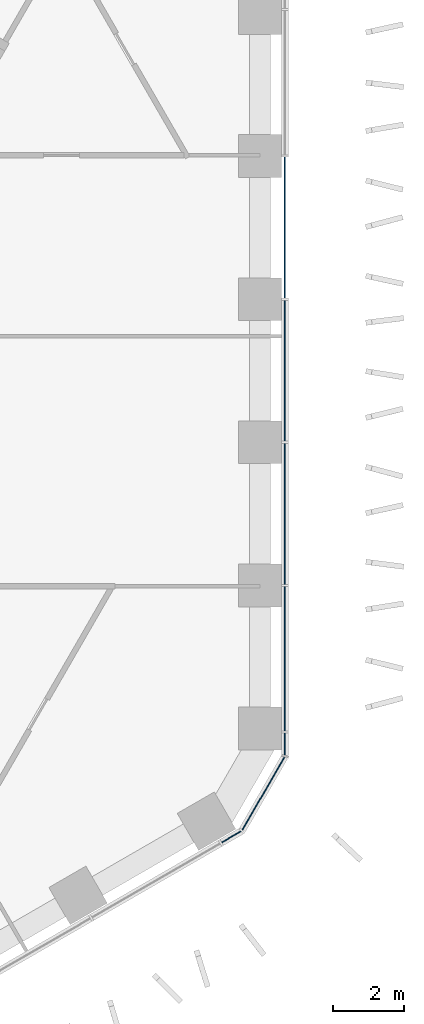
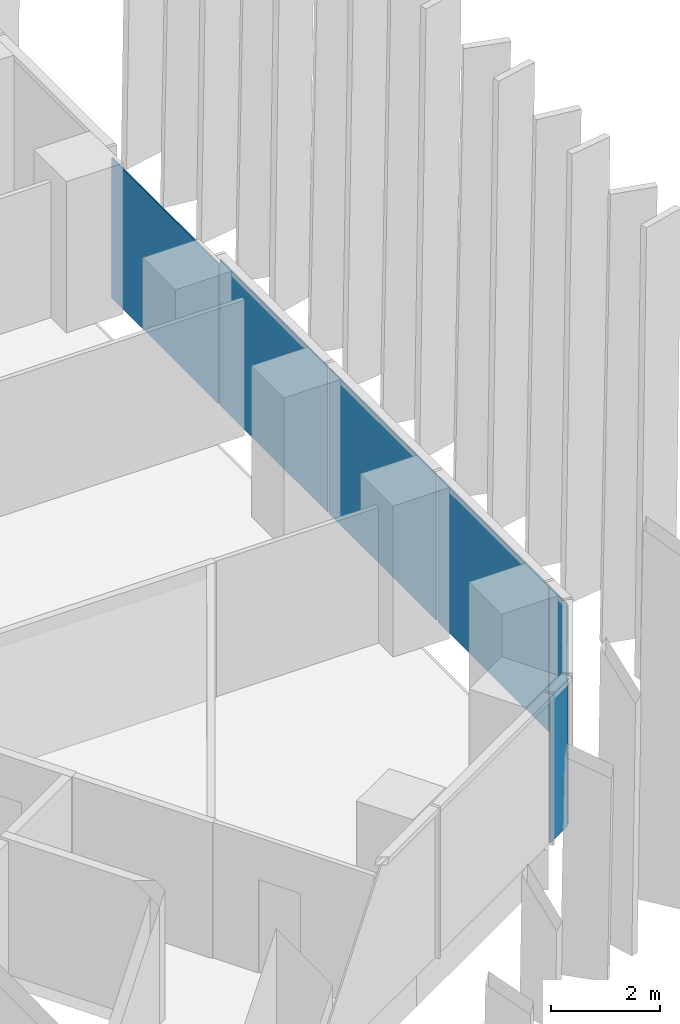
# One storey, part 11 of 20: 7 plates, 2 elements without a shape of their own.
"""IFC4 building model written with IfcOpenShell, lengths in metres."""

from ifc_helpers import new_model, si_unit, direction, frame, origin, origin_2d, place, context, subcontext, project, spatial, rectangle, extrude, material, layer, layer_set, type_object, element, aggregate, save


model = new_model("IFC4")

# Units and contexts
model_context = context("Model", 3, precision=1e-05, world=origin(), true_north=direction((0.0, 1.0)))
body_context = subcontext(model_context, "Body", "Model", "MODEL_VIEW")
ifc_project = project(units=[si_unit("LENGTHUNIT", "METRE"), si_unit("AREAUNIT", "SQUARE_METRE"), si_unit("VOLUMEUNIT", "CUBIC_METRE"), si_unit("PLANEANGLEUNIT", "RADIAN"), si_unit("MASSUNIT", "GRAM", prefix="KILO")], contexts=[model_context])

# Site, building, storey
site_placement = place(None, origin())
site = spatial("IfcSite", under=ifc_project, at=site_placement, CompositionType="ELEMENT")
building_placement = place(site_placement, origin())
building = spatial("IfcBuilding", under=site, at=building_placement, Name="Ayvan Gate Tower", CompositionType="ELEMENT")
storey_placement = place(building_placement, frame((0.0, 0.0, 35.699951171875)))
storey = spatial("IfcBuildingStorey", under=building, at=storey_placement, Name="L08", CompositionType="ELEMENT", Elevation=35.699951171875)

# Curtain wall, plates
ifc_material_1 = material(Name="Bronze anodised aluminium", Category="aluminium")
ifc_layer_1 = layer(ifc_material_1, 0.199951171875)
ifc_layer_set_1 = layer_set([ifc_layer_1], Name="Bronze anodised aluminium")
curtain_wall_type_1 = type_object("IfcCurtainWallType", Name="Stick curtain wall CW-1", PredefinedType="NOTDEFINED", material=ifc_layer_set_1)
curtain_wall_1_placement = place(storey_placement, origin())
curtain_wall_1 = element("IfcCurtainWall", 1, at=curtain_wall_1_placement, inside=storey, type_object=curtain_wall_type_1, Name="Stick curtain wall CW-1 L08", PredefinedType="NOTDEFINED")
ifc_material_2 = material(Name="Clear low-iron laminated glass", Category="glass")
ifc_layer_2 = layer(ifc_material_2, 0.028076171875)
ifc_layer_set_2 = layer_set([ifc_layer_2], Name="Clear low-iron laminated glass")
plate_type_1 = type_object("IfcPlateType", Name="Stick curtain wall CW-1 glass panel", PredefinedType="CURTAIN_PANEL", material=ifc_layer_set_2)
plate_1_placement = place(storey_placement, frame((21.484619140625, -8.08544921875, 0.0), z_axis=(0.0, 0.0, 1.0), x_axis=(0.0, 1.0, 0.0)))
plate_1 = element("IfcPlate", 2, at=plate_1_placement, type_object=plate_type_1, Name="CW-1 glass panel 1", PredefinedType="CURTAIN_PANEL", context=body_context, shape_type="SweptSolid", body=[
    extrude(rectangle(XDim=4.077880859375, YDim=0.028076171875, at=origin_2d()), origin(), (0.0, 0.0, 1.0), 3.280029296875),
])
plate_2_placement = place(storey_placement, frame((21.484619140625, -4.010986328125, 0.0), z_axis=(0.0, 0.0, 1.0), x_axis=(0.0, 1.0, 0.0)))
plate_2 = element("IfcPlate", 3, at=plate_2_placement, type_object=plate_type_1, Name="CW-1 glass panel 2", PredefinedType="CURTAIN_PANEL", context=body_context, shape_type="SweptSolid", body=[
    extrude(rectangle(XDim=3.950927734375, YDim=0.028076171875, at=origin_2d()), origin(), (0.0, 0.0, 1.0), 3.280029296875),
])
plate_3_placement = place(storey_placement, frame((21.484619140625, 0.0, 0.0), z_axis=(0.0, 0.0, 1.0), x_axis=(0.0, 1.0, 0.0)))
plate_3 = element("IfcPlate", 4, at=plate_3_placement, type_object=plate_type_1, Name="CW-1 glass panel 3", PredefinedType="CURTAIN_PANEL", context=body_context, shape_type="SweptSolid", body=[
    extrude(rectangle(XDim=3.950927734375, YDim=0.028076171875, at=origin_2d()), origin(), (0.0, 0.0, 1.0), 3.280029296875),
])
plate_4_placement = place(storey_placement, frame((21.484619140625, 4.010986328125, 0.0), z_axis=(0.0, 0.0, 1.0), x_axis=(0.0, 1.0, 0.0)))
plate_4 = element("IfcPlate", 5, at=plate_4_placement, type_object=plate_type_1, Name="CW-1 glass panel 4", PredefinedType="CURTAIN_PANEL", context=body_context, shape_type="SweptSolid", body=[
    extrude(rectangle(XDim=3.950927734375, YDim=0.028076171875, at=origin_2d()), origin(), (0.0, 0.0, 1.0), 3.14990234375),
])
aggregate(curtain_wall_1, [plate_1, plate_2, plate_3, plate_4])

ifc_layer_3 = layer(ifc_material_1, 0.199951171875)
ifc_layer_set_3 = layer_set([ifc_layer_3], Name="Bronze anodised aluminium")
curtain_wall_type_2 = type_object("IfcCurtainWallType", Name="Stick curtain wall CW-6", PredefinedType="NOTDEFINED", material=ifc_layer_set_3)
curtain_wall_2_placement = place(storey_placement, origin())
curtain_wall_2 = element("IfcCurtainWall", 6, at=curtain_wall_2_placement, inside=storey, type_object=curtain_wall_type_2, Name="Stick curtain wall CW-6 L08", PredefinedType="NOTDEFINED")
ifc_layer_4 = layer(ifc_material_2, 0.028076171875)
ifc_layer_set_4 = layer_set([ifc_layer_4], Name="Clear low-iron laminated glass")
plate_type_2 = type_object("IfcPlateType", Name="Stick curtain wall CW-6 glass panel", PredefinedType="CURTAIN_PANEL", material=ifc_layer_set_4)
plate_5_placement = place(storey_placement, frame((19.985107421875, -13.064208984375, 0.0), z_axis=(0.0, 0.0, 1.0), x_axis=(0.866025403784, 0.5, 0.0)))
plate_5 = element("IfcPlate", 7, at=plate_5_placement, type_object=plate_type_2, Name="CW-6 glass panel 1", PredefinedType="CURTAIN_PANEL", context=body_context, shape_type="SweptSolid", body=[
    extrude(rectangle(XDim=0.625, YDim=0.028076171875, at=origin_2d()), origin(), (0.0, 0.0, 1.0), 3.280029296875),
])
plate_6_placement = place(storey_placement, frame((20.880859375, -11.85009765625, 0.0), z_axis=(0.0, 0.0, 1.0), x_axis=(0.5, 0.866025403784, 0.0)))
plate_6 = element("IfcPlate", 8, at=plate_6_placement, type_object=plate_type_2, Name="CW-6 glass panel 2", PredefinedType="CURTAIN_PANEL", context=body_context, shape_type="SweptSolid", body=[
    extrude(rectangle(XDim=2.364501953125, YDim=0.028076171875, at=origin_2d()), origin(), (0.0, 0.0, 1.0), 3.280029296875),
])
plate_7_placement = place(storey_placement, frame((21.484619140625, -10.467041015625, 0.0), z_axis=(0.0, 0.0, 1.0), x_axis=(0.0, 1.0, 0.0)))
plate_7 = element("IfcPlate", 9, at=plate_7_placement, type_object=plate_type_2, Name="CW-6 glass panel 3", PredefinedType="CURTAIN_PANEL", context=body_context, shape_type="SweptSolid", body=[
    extrude(rectangle(XDim=0.625, YDim=0.028076171875, at=origin_2d()), origin(), (0.0, 0.0, 1.0), 3.280029296875),
])
aggregate(curtain_wall_2, [plate_5, plate_6, plate_7])

save(model, "model.ifc")
